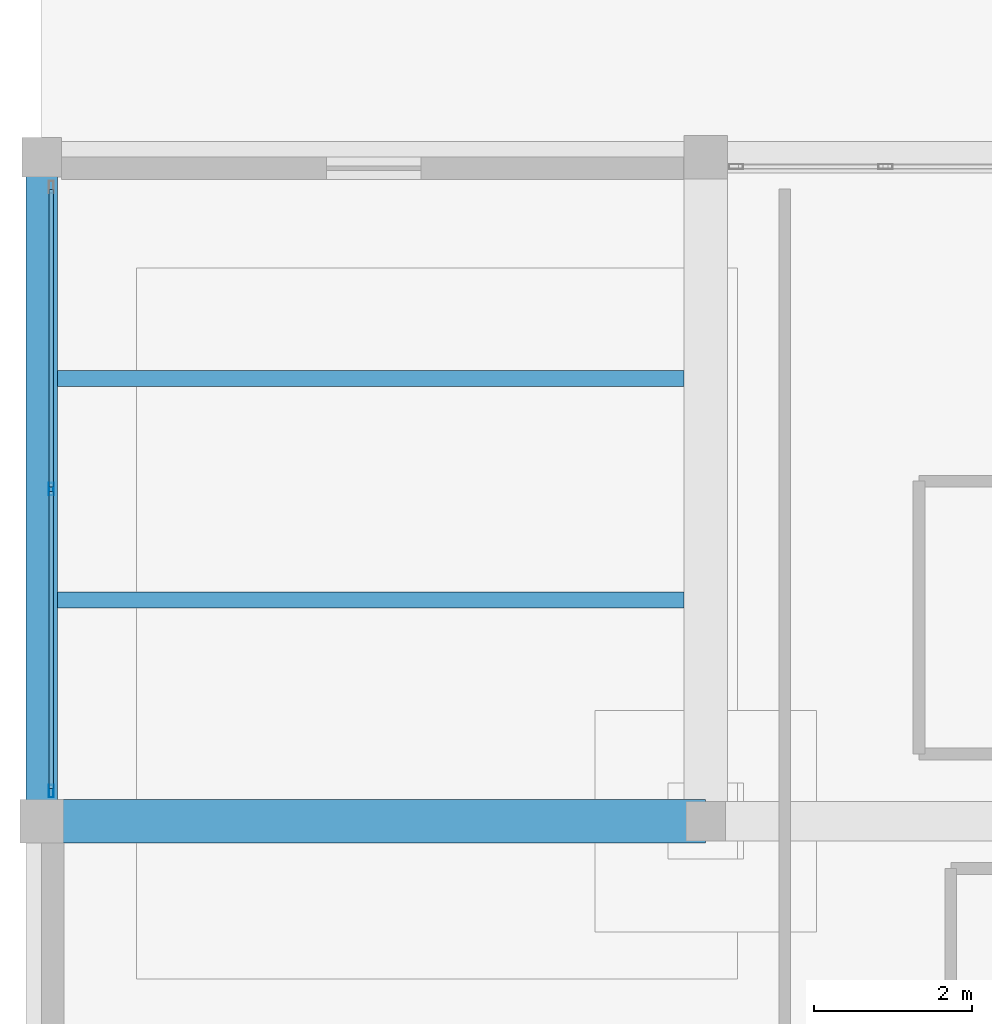
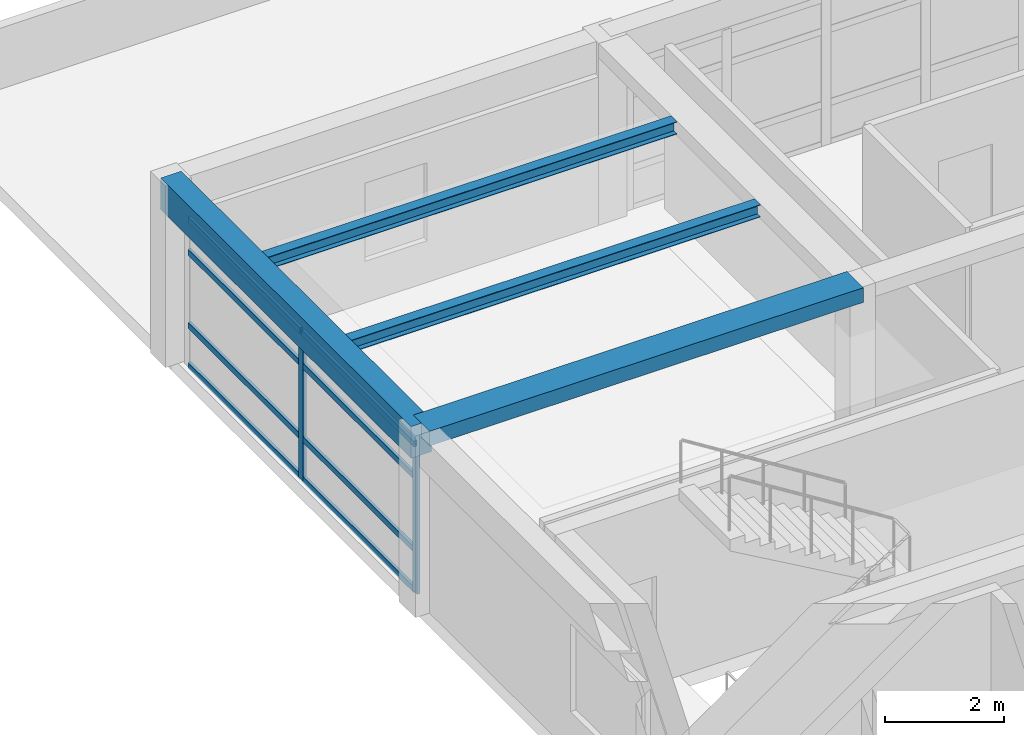
# One storey, part 8 of 22: 10 members, 4 beams, 1 element without a shape of its own.
"""IFC4 building model written with IfcOpenShell, lengths in metres."""

from ifc_helpers import new_model, si_unit, direction, frame, origin, origin_2d, place, context, subcontext, project, spatial, rectangle, hollow_rectangle, i_section, extrude, material, material_profile, profile_set, type_object, element, aggregate, save


model = new_model("IFC4")

# Units and contexts
model_context = context("Model", 3, precision=1e-05, world=origin(), true_north=direction((0.0, 1.0)))
body_context = subcontext(model_context, "Body", "Model", "MODEL_VIEW")
ifc_project = project(units=[si_unit("LENGTHUNIT", "METRE"), si_unit("AREAUNIT", "SQUARE_METRE"), si_unit("VOLUMEUNIT", "CUBIC_METRE"), si_unit("PLANEANGLEUNIT", "RADIAN"), si_unit("MASSUNIT", "GRAM", prefix="KILO")], contexts=[model_context])

# Site, building, storey
site_placement = place(None, origin())
site = spatial("IfcSite", under=ifc_project, at=site_placement, CompositionType="ELEMENT")
building_placement = place(site_placement, origin())
building = spatial("IfcBuilding", under=site, at=building_placement, Name="Almacenes y Pasaje Nevantli", CompositionType="ELEMENT")
storey_placement = place(building_placement, frame((0.0, 0.0, 58.699951171875)))
storey = spatial("IfcBuildingStorey", under=building, at=storey_placement, Name="L14", CompositionType="ELEMENT", Elevation=58.699951171875)

# Beams
ifc_material_1 = material(Name="Concrete C35/45", Category="concrete")
ifc_material_profile_1 = material_profile(ifc_material_1, rectangle(XDim=0.39990234375, YDim=0.64990234375, at=origin_2d()), Name="RC-BM-400x650")
ifc_profile_set_1 = profile_set([ifc_material_profile_1], Name="Concrete C35/45")
beam_type_1 = type_object("IfcBeamType", Name="BM-RC-400x650", PredefinedType="SPANDREL", material=ifc_profile_set_1)
beam_1_placement = place(storey_placement, frame((117.60009765625, 84.0, 3.39501953125), z_axis=(0.0, 1.0, 0.0), x_axis=(-1.0, 0.0, 0.0)))
element("IfcBeam", 1, at=beam_1_placement, inside=storey, type_object=beam_type_1, Name="L14 North-South Reinforced Concrete Beam #4003", PredefinedType="SPANDREL", context=body_context, shape_type="SweptSolid", body=[
    extrude(rectangle(XDim=0.39990234375, YDim=0.64990234375, at=origin_2d()), origin(), (0.0, 0.0, 1.0), 8.39990234375),
])
ifc_material_2 = material(Name="Concrete C35/45", Category="concrete")
ifc_material_profile_2 = material_profile(ifc_material_2, rectangle(XDim=0.550048828125, YDim=0.300048828125, at=origin_2d()), Name="RC-BM-550x300")
ifc_profile_set_2 = profile_set([ifc_material_profile_2], Name="Concrete C35/45")
beam_type_2 = type_object("IfcBeamType", Name="BM-RC-550x300", PredefinedType="BEAM", material=ifc_profile_set_2)
beam_2_placement = place(storey_placement, frame((117.60009765625, 84.0, 3.570068359375), z_axis=(1.0, 0.0, 0.0), x_axis=(0.0, 1.0, 0.0)))
element("IfcBeam", 2, at=beam_2_placement, inside=storey, type_object=beam_type_2, Name="L14 East-West Reinforced Concrete Beam #3993", PredefinedType="BEAM", context=body_context, shape_type="SweptSolid", body=[
    extrude(rectangle(XDim=0.550048828125, YDim=0.300048828125, at=origin_2d()), origin(), (0.0, 0.0, 1.0), 8.39990234375),
])
ifc_material_3 = material(Name="Steel ASTM A992", Category="steel")
ifc_material_profile_3 = material_profile(ifc_material_3, i_section(OverallWidth=0.202880859375, OverallDepth=0.25390625, WebThickness=0.00732421875, FlangeThickness=0.010986328125, at=origin_2d()), Name="IR 254x49.1")
ifc_profile_set_3 = profile_set([ifc_material_profile_3], Name="Steel ASTM A992")
beam_type_3 = type_object("IfcBeamType", Name="BM-STL-IR-254x49p1", PredefinedType="JOIST", material=ifc_profile_set_3)
for number, where, z_axis, x_axis, name in (
    (3, (117.800048828125, 86.800048828125, 3.5849609375), (1.0, 0.0, 0.0), (0.0, 1.0, 0.0), "L14 Secondary Steel Floor Joist #1593"),
    (4, (117.800048828125, 89.60009765625, 3.5849609375), (1.0, 0.0, 0.0), (0.0, 1.0, 0.0), "L14 Secondary Steel Floor Joist #1594"),
):
    element("IfcBeam", number, at=place(storey_placement, frame(where, z_axis=z_axis, x_axis=x_axis)), inside=storey, type_object=beam_type_3, Name=name, PredefinedType="JOIST", context=body_context, shape_type="SweptSolid", body=[
        extrude(i_section(OverallWidth=0.202880859375, OverallDepth=0.25390625, WebThickness=0.00732421875, FlangeThickness=0.010986328125, at=origin_2d()), origin(), (0.0, 0.0, 1.0), 7.925048828125),
    ])

# Curtain wall, members
ifc_material_4 = material(Name="Thermally Broken Aluminium and Low-E Glass", Category="aluminium")
curtain_wall_type = type_object("IfcCurtainWallType", Name="CW-UNIT-TOWER", PredefinedType="USERDEFINED", material=ifc_material_4)
curtain_wall_placement = place(storey_placement, origin())
curtain_wall = element("IfcCurtainWall", 5, at=curtain_wall_placement, inside=storey, type_object=curtain_wall_type, Name="L14 Tower West Curtain Wall Bay 11", ObjectType="UNITIZED CURTAIN WALL", PredefinedType="USERDEFINED")
ifc_material_5 = material(Name="Thermally Broken Anodized Aluminium", Category="aluminium")
ifc_material_profile_4 = material_profile(ifc_material_5, hollow_rectangle(XDim=0.06005859375, YDim=0.159912109375, WallThickness=0.00390625, at=origin_2d()), Name="ALU-MUL-60x160")
ifc_profile_set_4 = profile_set([ifc_material_profile_4], Name="Thermally Broken Anodized Aluminium")
member_type_1 = type_object("IfcMemberType", Name="CW-MUL-180", PredefinedType="MULLION", material=ifc_profile_set_4)
member_1_placement = place(storey_placement, frame((117.719970703125, 84.3798828125, 0.0), z_axis=(0.0, 0.0, 1.0), x_axis=(-1.0, 0.0, 0.0)))
member_1 = element("IfcMember", 6, at=member_1_placement, type_object=member_type_1, Name="CW-L14-183 mullion 1", PredefinedType="MULLION", context=body_context, shape_type="SweptSolid", body=[
    extrude(hollow_rectangle(XDim=0.06005859375, YDim=0.159912109375, WallThickness=0.00390625, at=origin_2d()), origin(), (0.0, 0.0, 1.0), 3.0400390625),
])
member_2_placement = place(storey_placement, frame((117.719970703125, 88.199951171875, 0.0), z_axis=(0.0, 0.0, 1.0), x_axis=(-1.0, 0.0, 0.0)))
member_2 = element("IfcMember", 7, at=member_2_placement, type_object=member_type_1, Name="CW-L14-183 mullion 2", PredefinedType="MULLION", context=body_context, shape_type="SweptSolid", body=[
    extrude(hollow_rectangle(XDim=0.06005859375, YDim=0.159912109375, WallThickness=0.00390625, at=origin_2d()), origin(), (0.0, 0.0, 1.0), 3.0400390625),
])
ifc_material_6 = material(Name="Thermally Broken Anodized Aluminium", Category="aluminium")
ifc_material_profile_5 = material_profile(ifc_material_6, hollow_rectangle(XDim=0.06005859375, YDim=0.1201171875, WallThickness=0.00341796875, at=origin_2d()), Name="ALU-TRN-60x120")
ifc_profile_set_5 = profile_set([ifc_material_profile_5], Name="Thermally Broken Anodized Aluminium")
member_type_2 = type_object("IfcMemberType", Name="CW-TRN-130", PredefinedType="USERDEFINED", material=ifc_profile_set_5)
member_3_placement = place(storey_placement, frame((117.719970703125, 84.409912109375, 0.030029296875), z_axis=(0.0, 1.0, 0.0), x_axis=(-1.0, 0.0, 0.0)))
member_3 = element("IfcMember", 8, at=member_3_placement, type_object=member_type_2, Name="CW-L14-183 transom 1.1", ObjectType="TRANSOM", PredefinedType="USERDEFINED", context=body_context, shape_type="SweptSolid", body=[
    extrude(hollow_rectangle(XDim=0.06005859375, YDim=0.1201171875, WallThickness=0.00341796875, at=origin_2d()), origin(), (0.0, 0.0, 1.0), 3.760009765625),
])
member_4_placement = place(storey_placement, frame((117.719970703125, 84.409912109375, 0.85009765625), z_axis=(0.0, 1.0, 0.0), x_axis=(-1.0, 0.0, 0.0)))
member_4 = element("IfcMember", 9, at=member_4_placement, type_object=member_type_2, Name="CW-L14-183 transom 1.2", ObjectType="TRANSOM", PredefinedType="USERDEFINED", context=body_context, shape_type="SweptSolid", body=[
    extrude(hollow_rectangle(XDim=0.06005859375, YDim=0.1201171875, WallThickness=0.00341796875, at=origin_2d()), origin(), (0.0, 0.0, 1.0), 3.760009765625),
])
member_5_placement = place(storey_placement, frame((117.719970703125, 84.409912109375, 2.35009765625), z_axis=(0.0, 1.0, 0.0), x_axis=(-1.0, 0.0, 0.0)))
member_5 = element("IfcMember", 10, at=member_5_placement, type_object=member_type_2, Name="CW-L14-183 transom 1.3", ObjectType="TRANSOM", PredefinedType="USERDEFINED", context=body_context, shape_type="SweptSolid", body=[
    extrude(hollow_rectangle(XDim=0.06005859375, YDim=0.1201171875, WallThickness=0.00341796875, at=origin_2d()), origin(), (0.0, 0.0, 1.0), 3.760009765625),
])
member_6_placement = place(storey_placement, frame((117.719970703125, 84.409912109375, 3.010009765625), z_axis=(0.0, 1.0, 0.0), x_axis=(-1.0, 0.0, 0.0)))
member_6 = element("IfcMember", 11, at=member_6_placement, type_object=member_type_2, Name="CW-L14-183 transom 1.4", ObjectType="TRANSOM", PredefinedType="USERDEFINED", context=body_context, shape_type="SweptSolid", body=[
    extrude(hollow_rectangle(XDim=0.06005859375, YDim=0.1201171875, WallThickness=0.00341796875, at=origin_2d()), origin(), (0.0, 0.0, 1.0), 3.760009765625),
])
member_7_placement = place(storey_placement, frame((117.719970703125, 88.22998046875, 0.030029296875), z_axis=(0.0, 1.0, 0.0), x_axis=(-1.0, 0.0, 0.0)))
member_7 = element("IfcMember", 12, at=member_7_placement, type_object=member_type_2, Name="CW-L14-183 transom 2.1", ObjectType="TRANSOM", PredefinedType="USERDEFINED", context=body_context, shape_type="SweptSolid", body=[
    extrude(hollow_rectangle(XDim=0.06005859375, YDim=0.1201171875, WallThickness=0.00341796875, at=origin_2d()), origin(), (0.0, 0.0, 1.0), 3.760009765625),
])
member_8_placement = place(storey_placement, frame((117.719970703125, 88.22998046875, 0.85009765625), z_axis=(0.0, 1.0, 0.0), x_axis=(-1.0, 0.0, 0.0)))
member_8 = element("IfcMember", 13, at=member_8_placement, type_object=member_type_2, Name="CW-L14-183 transom 2.2", ObjectType="TRANSOM", PredefinedType="USERDEFINED", context=body_context, shape_type="SweptSolid", body=[
    extrude(hollow_rectangle(XDim=0.06005859375, YDim=0.1201171875, WallThickness=0.00341796875, at=origin_2d()), origin(), (0.0, 0.0, 1.0), 3.760009765625),
])
member_9_placement = place(storey_placement, frame((117.719970703125, 88.22998046875, 2.35009765625), z_axis=(0.0, 1.0, 0.0), x_axis=(-1.0, 0.0, 0.0)))
member_9 = element("IfcMember", 14, at=member_9_placement, type_object=member_type_2, Name="CW-L14-183 transom 2.3", ObjectType="TRANSOM", PredefinedType="USERDEFINED", context=body_context, shape_type="SweptSolid", body=[
    extrude(hollow_rectangle(XDim=0.06005859375, YDim=0.1201171875, WallThickness=0.00341796875, at=origin_2d()), origin(), (0.0, 0.0, 1.0), 3.760009765625),
])
member_10_placement = place(storey_placement, frame((117.719970703125, 88.22998046875, 3.010009765625), z_axis=(0.0, 1.0, 0.0), x_axis=(-1.0, 0.0, 0.0)))
member_10 = element("IfcMember", 15, at=member_10_placement, type_object=member_type_2, Name="CW-L14-183 transom 2.4", ObjectType="TRANSOM", PredefinedType="USERDEFINED", context=body_context, shape_type="SweptSolid", body=[
    extrude(hollow_rectangle(XDim=0.06005859375, YDim=0.1201171875, WallThickness=0.00341796875, at=origin_2d()), origin(), (0.0, 0.0, 1.0), 3.760009765625),
])
aggregate(curtain_wall, [member_1, member_2, member_3, member_4, member_5, member_6, member_7, member_8, member_9, member_10])

save(model, "model.ifc")
